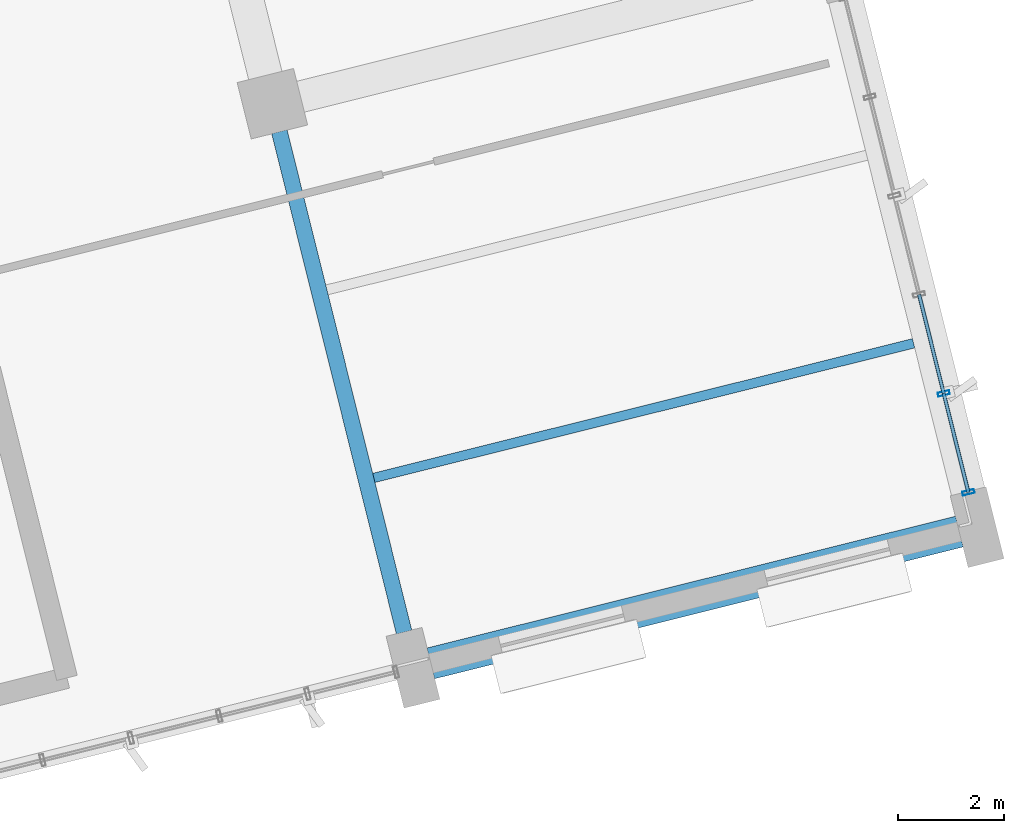
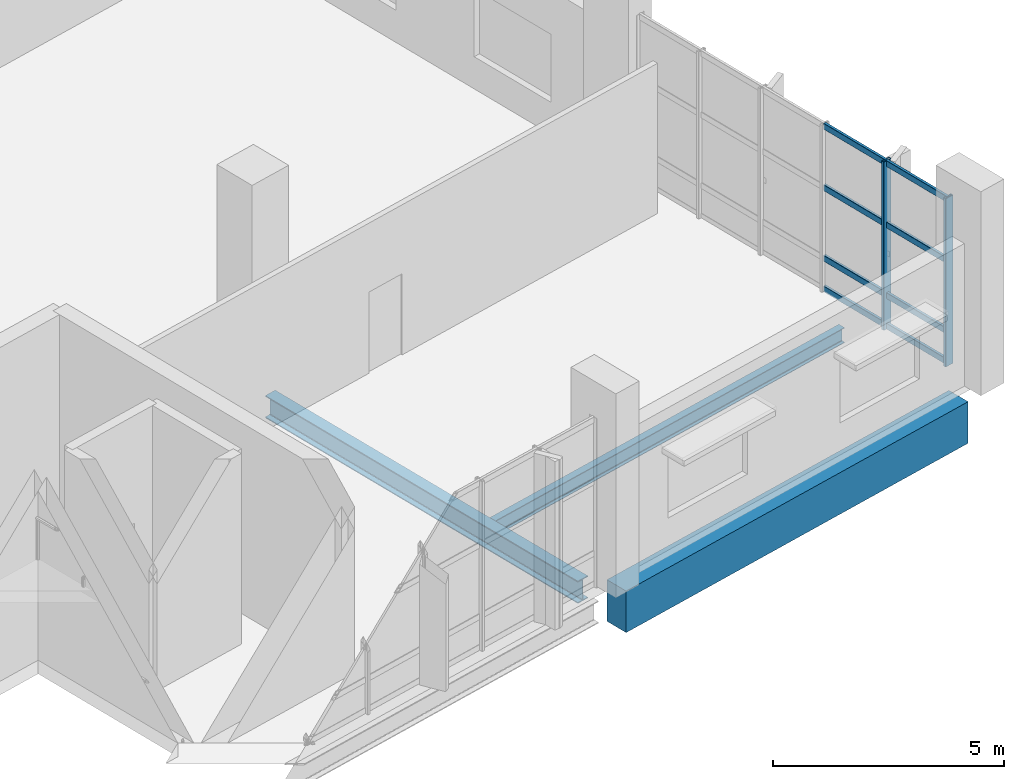
# One storey, part 77 of 176: 10 members, 3 beams, 1 element without a shape of its own.
"""IFC4 building model written with IfcOpenShell, lengths in metres."""

from ifc_helpers import new_model, si_unit, direction, frame, origin, origin_2d, place, context, subcontext, project, spatial, rectangle, hollow_rectangle, i_section, extrude, material, layer, layer_set, material_profile, profile_set, type_object, element, aggregate, save


model = new_model("IFC4")

# Units and contexts
model_context = context("Model", 3, precision=1e-05, world=origin(), true_north=direction((0.0, 1.0)))
body_context = subcontext(model_context, "Body", "Model", "MODEL_VIEW")
ifc_project = project(units=[si_unit("LENGTHUNIT", "METRE"), si_unit("AREAUNIT", "SQUARE_METRE"), si_unit("VOLUMEUNIT", "CUBIC_METRE"), si_unit("PLANEANGLEUNIT", "RADIAN"), si_unit("MASSUNIT", "GRAM", prefix="KILO")], contexts=[model_context])

# Site, building, storey
site_placement = place(None, origin())
site = spatial("IfcSite", under=ifc_project, at=site_placement, CompositionType="ELEMENT")
building_placement = place(site_placement, origin())
building = spatial("IfcBuilding", under=site, at=building_placement, Name="Khorjan Park Terminus", CompositionType="ELEMENT")
storey_placement = place(building_placement, frame((0.0, 0.0, 6.0)))
storey = spatial("IfcBuildingStorey", under=building, at=storey_placement, Name="L01", CompositionType="ELEMENT", Elevation=6.0)

# Beams
ifc_material_1 = material(Name="Steel S355", Category="steel")
ifc_material_profile_1 = material_profile(ifc_material_1, i_section(OverallWidth=0.3, OverallDepth=0.59, WebThickness=0.013, FlangeThickness=0.025, FilletRadius=0.027, at=origin_2d()), Name="HEA 600")
ifc_profile_set_1 = profile_set([ifc_material_profile_1], Name="Steel S355")
beam_type_1 = type_object("IfcBeamType", Name="BM-HEA600", PredefinedType="BEAM", material=ifc_profile_set_1)
beam_1_placement = place(storey_placement, frame((219.1981, 15.9801, -0.655), z_axis=(-0.241918404883, 0.970296596603, 0.0), x_axis=(-0.970296596603, -0.241918404883, 0.0)))
element("IfcBeam", 1, at=beam_1_placement, inside=storey, type_object=beam_type_1, Name="Primary skew-grid floor girder SB-A60 (L01)", PredefinedType="BEAM", context=body_context, shape_type="SweptSolid", body=[
    extrude(i_section(OverallWidth=0.3, OverallDepth=0.59, WebThickness=0.013, FlangeThickness=0.025, FilletRadius=0.027, at=origin_2d()), origin(), (0.0, 0.0, 1.0), 9.7599),
])
ifc_material_2 = material(Name="Concrete C40/50", Category="concrete")
ifc_material_profile_2 = material_profile(ifc_material_2, rectangle(XDim=0.6, YDim=1.1, at=origin_2d()), Name="RC 600x1100")
ifc_profile_set_2 = profile_set([ifc_material_profile_2], Name="Concrete C40/50")
beam_type_2 = type_object("IfcBeamType", Name="BM-RC600x1100", PredefinedType="BEAM", material=ifc_profile_set_2)
beam_2_placement = place(storey_placement, frame((219.701, 15.3892, -0.91), z_axis=(0.970296351811, 0.241919386702, 0.0), x_axis=(-0.241919386702, 0.970296351811, 0.0)))
element("IfcBeam", 2, at=beam_2_placement, inside=storey, type_object=beam_type_2, Name="Primary skew-grid floor girder GB-11 (L01)", PredefinedType="BEAM", context=body_context, shape_type="SweptSolid", body=[
    extrude(rectangle(XDim=0.6, YDim=1.1, at=origin_2d()), origin(), (0.0, 0.0, 1.0), 10.31),
])
ifc_material_profile_3 = material_profile(ifc_material_1, i_section(OverallWidth=0.18, OverallDepth=0.4, WebThickness=0.0086, FlangeThickness=0.0135, FilletRadius=0.021, at=origin_2d()), Name="IPE 400")
ifc_profile_set_3 = profile_set([ifc_material_profile_3], Name="Steel S355")
beam_type_3 = type_object("IfcBeamType", Name="JS-IPE400", PredefinedType="JOIST", material=ifc_profile_set_3)
beam_3_placement = place(storey_placement, frame((218.6248, 18.8998, -0.56), z_axis=(0.970296002015, 0.241920789668, 0.0), x_axis=(-0.241920789668, 0.970296002015, 0.0)))
element("IfcBeam", 3, at=beam_3_placement, inside=storey, type_object=beam_type_3, Name="Secondary composite floor joist SJ-40 (L01)", PredefinedType="JOIST", context=body_context, shape_type="SweptSolid", body=[
    extrude(i_section(OverallWidth=0.18, OverallDepth=0.4, WebThickness=0.0086, FlangeThickness=0.0135, FilletRadius=0.021, at=origin_2d()), origin(), (0.0, 0.0, 1.0), 10.5249),
])

# Curtain wall, members
ifc_material_3 = material(Name="Anodized Bronze Aluminium", Category="aluminium")
ifc_layer = layer(ifc_material_3, 0.22)
ifc_layer_set = layer_set([ifc_layer], Name="Anodized Bronze Aluminium")
curtain_wall_type = type_object("IfcCurtainWallType", Name="CW-OPS-B", PredefinedType="NOTDEFINED", material=ifc_layer_set)
curtain_wall_placement = place(storey_placement, origin())
curtain_wall = element("IfcCurtainWall", 4, at=curtain_wall_placement, inside=storey, type_object=curtain_wall_type, Name="Unitized curtain wall CW-B (CW-V5-E-L01-B01)", PredefinedType="NOTDEFINED")
ifc_material_profile_4 = material_profile(ifc_material_3, hollow_rectangle(XDim=0.075, YDim=0.225, WallThickness=0.005, InnerFilletRadius=0.005, OuterFilletRadius=0.01, at=origin_2d()), Name="ALM 75x225x5")
ifc_profile_set_4 = profile_set([ifc_material_profile_4], Name="Anodized Bronze Aluminium")
member_type_1 = type_object("IfcMemberType", Name="ML-ALM-225", PredefinedType="MULLION", material=ifc_profile_set_4)
member_1_placement = place(storey_placement, frame((229.875, 18.6267, -0.035), z_axis=(0.0, 0.0, 1.0), x_axis=(-0.241920488516, 0.9702960771, 0.0)))
member_1 = element("IfcMember", 5, at=member_1_placement, type_object=member_type_1, Name="Curtain-wall mullion ML-22 (CW-V5-E-L01-B01-0)", PredefinedType="MULLION", context=body_context, shape_type="SweptSolid", body=[
    extrude(hollow_rectangle(XDim=0.075, YDim=0.225, WallThickness=0.005, InnerFilletRadius=0.005, OuterFilletRadius=0.01, at=origin_2d()), origin(), (0.0, 0.0, 1.0), 4.455),
])
member_2_placement = place(storey_placement, frame((229.4086, 20.4974, -0.035), z_axis=(0.0, 0.0, 1.0), x_axis=(-0.241920488516, 0.9702960771, 0.0)))
member_2 = element("IfcMember", 6, at=member_2_placement, type_object=member_type_1, Name="Curtain-wall mullion ML-22 (CW-V5-E-L01-B01-1)", PredefinedType="MULLION", context=body_context, shape_type="SweptSolid", body=[
    extrude(hollow_rectangle(XDim=0.075, YDim=0.225, WallThickness=0.005, InnerFilletRadius=0.005, OuterFilletRadius=0.01, at=origin_2d()), origin(), (0.0, 0.0, 1.0), 4.455),
])
ifc_material_profile_5 = material_profile(ifc_material_3, hollow_rectangle(XDim=0.07, YDim=0.16, WallThickness=0.004, InnerFilletRadius=0.004, OuterFilletRadius=0.008, at=origin_2d()), Name="ALT 70x160x4")
ifc_profile_set_5 = profile_set([ifc_material_profile_5], Name="Anodized Bronze Aluminium")
member_type_2 = type_object("IfcMemberType", Name="TR-ALT-160", PredefinedType="USERDEFINED", material=ifc_profile_set_5)
member_3_placement = place(storey_placement, frame((229.875, 18.6267, 0.04), z_axis=(-0.241913157049, 0.970297905, 0.0), x_axis=(-0.970297905, -0.241913157049, 0.0)))
member_3 = element("IfcMember", 7, at=member_3_placement, type_object=member_type_2, Name="Curtain-wall transom TR-16 (CW-V5-E-L01-B01-0-1)", ObjectType="TRANSOM", PredefinedType="USERDEFINED", context=body_context, shape_type="SweptSolid", body=[
    extrude(hollow_rectangle(XDim=0.07, YDim=0.16, WallThickness=0.004, InnerFilletRadius=0.004, OuterFilletRadius=0.008, at=origin_2d()), origin(), (0.0, 0.0, 1.0), 1.928),
])
member_4_placement = place(storey_placement, frame((229.875, 18.6267, 0.85), z_axis=(-0.241913157049, 0.970297905, 0.0), x_axis=(-0.970297905, -0.241913157049, 0.0)))
member_4 = element("IfcMember", 8, at=member_4_placement, type_object=member_type_2, Name="Curtain-wall transom TR-16 (CW-V5-E-L01-B01-0-2)", ObjectType="TRANSOM", PredefinedType="USERDEFINED", context=body_context, shape_type="SweptSolid", body=[
    extrude(hollow_rectangle(XDim=0.07, YDim=0.16, WallThickness=0.004, InnerFilletRadius=0.004, OuterFilletRadius=0.008, at=origin_2d()), origin(), (0.0, 0.0, 1.0), 1.928),
])
member_5_placement = place(storey_placement, frame((229.875, 18.6267, 2.7187), z_axis=(-0.241913157049, 0.970297905, 0.0), x_axis=(-0.970297905, -0.241913157049, 0.0)))
member_5 = element("IfcMember", 9, at=member_5_placement, type_object=member_type_2, Name="Curtain-wall transom TR-16 (CW-V5-E-L01-B01-0-3)", ObjectType="TRANSOM", PredefinedType="USERDEFINED", context=body_context, shape_type="SweptSolid", body=[
    extrude(hollow_rectangle(XDim=0.07, YDim=0.16, WallThickness=0.004, InnerFilletRadius=0.004, OuterFilletRadius=0.008, at=origin_2d()), origin(), (0.0, 0.0, 1.0), 1.928),
])
member_6_placement = place(storey_placement, frame((229.875, 18.6267, 4.345), z_axis=(-0.241913157049, 0.970297905, 0.0), x_axis=(-0.970297905, -0.241913157049, 0.0)))
member_6 = element("IfcMember", 10, at=member_6_placement, type_object=member_type_2, Name="Curtain-wall transom TR-16 (CW-V5-E-L01-B01-0-4)", ObjectType="TRANSOM", PredefinedType="USERDEFINED", context=body_context, shape_type="SweptSolid", body=[
    extrude(hollow_rectangle(XDim=0.07, YDim=0.16, WallThickness=0.004, InnerFilletRadius=0.004, OuterFilletRadius=0.008, at=origin_2d()), origin(), (0.0, 0.0, 1.0), 1.928),
])
member_7_placement = place(storey_placement, frame((229.4086, 20.4974, 0.04), z_axis=(-0.241913157049, 0.970297905, 0.0), x_axis=(-0.970297905, -0.241913157049, 0.0)))
member_7 = element("IfcMember", 11, at=member_7_placement, type_object=member_type_2, Name="Curtain-wall transom TR-16 (CW-V5-E-L01-B01-1-1)", ObjectType="TRANSOM", PredefinedType="USERDEFINED", context=body_context, shape_type="SweptSolid", body=[
    extrude(hollow_rectangle(XDim=0.07, YDim=0.16, WallThickness=0.004, InnerFilletRadius=0.004, OuterFilletRadius=0.008, at=origin_2d()), origin(), (0.0, 0.0, 1.0), 1.928),
])
member_8_placement = place(storey_placement, frame((229.4086, 20.4974, 0.85), z_axis=(-0.241913157049, 0.970297905, 0.0), x_axis=(-0.970297905, -0.241913157049, 0.0)))
member_8 = element("IfcMember", 12, at=member_8_placement, type_object=member_type_2, Name="Curtain-wall transom TR-16 (CW-V5-E-L01-B01-1-2)", ObjectType="TRANSOM", PredefinedType="USERDEFINED", context=body_context, shape_type="SweptSolid", body=[
    extrude(hollow_rectangle(XDim=0.07, YDim=0.16, WallThickness=0.004, InnerFilletRadius=0.004, OuterFilletRadius=0.008, at=origin_2d()), origin(), (0.0, 0.0, 1.0), 1.928),
])
member_9_placement = place(storey_placement, frame((229.4086, 20.4974, 2.7187), z_axis=(-0.241913157049, 0.970297905, 0.0), x_axis=(-0.970297905, -0.241913157049, 0.0)))
member_9 = element("IfcMember", 13, at=member_9_placement, type_object=member_type_2, Name="Curtain-wall transom TR-16 (CW-V5-E-L01-B01-1-3)", ObjectType="TRANSOM", PredefinedType="USERDEFINED", context=body_context, shape_type="SweptSolid", body=[
    extrude(hollow_rectangle(XDim=0.07, YDim=0.16, WallThickness=0.004, InnerFilletRadius=0.004, OuterFilletRadius=0.008, at=origin_2d()), origin(), (0.0, 0.0, 1.0), 1.928),
])
member_10_placement = place(storey_placement, frame((229.4086, 20.4974, 4.345), z_axis=(-0.241913157049, 0.970297905, 0.0), x_axis=(-0.970297905, -0.241913157049, 0.0)))
member_10 = element("IfcMember", 14, at=member_10_placement, type_object=member_type_2, Name="Curtain-wall transom TR-16 (CW-V5-E-L01-B01-1-4)", ObjectType="TRANSOM", PredefinedType="USERDEFINED", context=body_context, shape_type="SweptSolid", body=[
    extrude(hollow_rectangle(XDim=0.07, YDim=0.16, WallThickness=0.004, InnerFilletRadius=0.004, OuterFilletRadius=0.008, at=origin_2d()), origin(), (0.0, 0.0, 1.0), 1.928),
])
aggregate(curtain_wall, [member_1, member_2, member_3, member_4, member_5, member_6, member_7, member_8, member_9, member_10])

save(model, "model.ifc")
